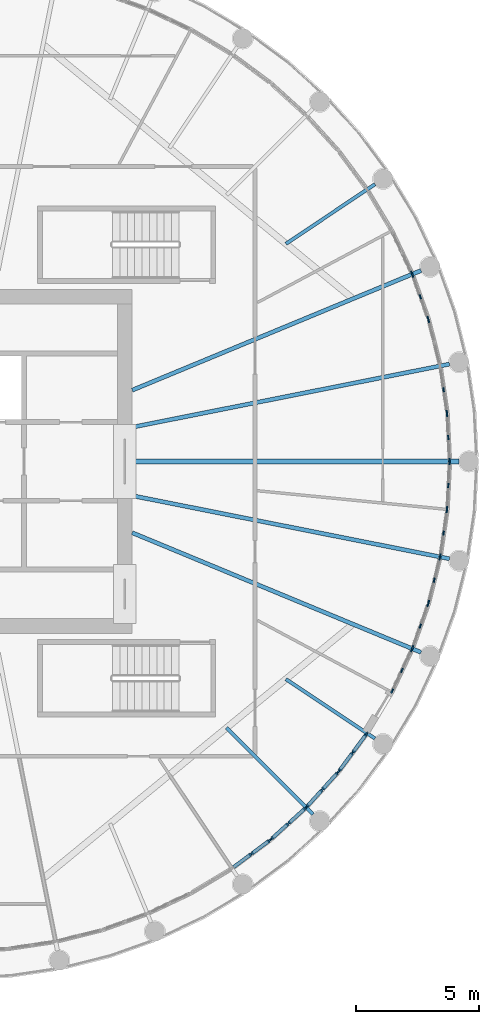
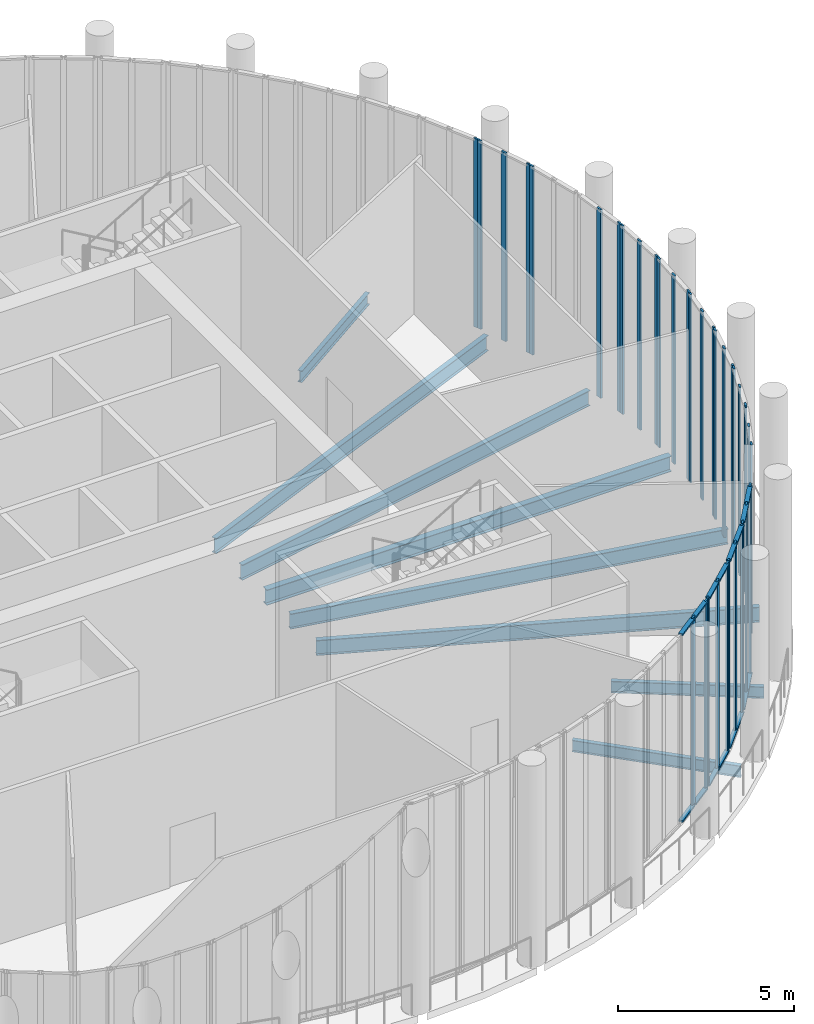
# One storey, part 5 of 21: 52 members, 8 beams, 14 elements without a shape of their own.
"""IFC4 building model written with IfcOpenShell, lengths in metres."""

from ifc_helpers import new_model, si_unit, direction, frame, origin, origin_2d, place, context, subcontext, project, spatial, rectangle, i_section, extrude, material, material_profile, profile_set, type_object, element, aggregate, save


model = new_model("IFC4")

# Units and contexts
model_context = context("Model", 3, precision=1e-05, world=origin(), true_north=direction((0.0, 1.0)))
body_context = subcontext(model_context, "Body", "Model", "MODEL_VIEW")
ifc_project = project(units=[si_unit("LENGTHUNIT", "METRE"), si_unit("AREAUNIT", "SQUARE_METRE"), si_unit("VOLUMEUNIT", "CUBIC_METRE"), si_unit("PLANEANGLEUNIT", "RADIAN"), si_unit("MASSUNIT", "GRAM", prefix="KILO")], contexts=[model_context])

# Site, building, storey
site_placement = place(None, origin())
site = spatial("IfcSite", under=ifc_project, at=site_placement, CompositionType="ELEMENT")
building_placement = place(site_placement, origin())
building = spatial("IfcBuilding", under=site, at=building_placement, Name="Corvane Civic Tower", CompositionType="ELEMENT")
storey_placement = place(building_placement, frame((0.0, 0.0, 380.5)))
storey = spatial("IfcBuildingStorey", under=building, at=storey_placement, Name="L91", CompositionType="ELEMENT", Elevation=380.5)

# Curtain wall, members
ifc_material_1 = material(Name="Aluminium and glass", Category="aluminium")
curtain_wall_type = type_object("IfcCurtainWallType", Name="CROWN-CW-O-RUN", PredefinedType="NOTDEFINED", material=ifc_material_1)
curtain_wall_1_placement = place(storey_placement, origin())
curtain_wall_1 = element("IfcCurtainWall", 1, at=curtain_wall_1_placement, inside=storey, type_object=curtain_wall_type, Name="CW-O run L91 39", PredefinedType="NOTDEFINED")
ifc_material_2 = material(Name="Anodised aluminium bronze", Category="aluminium")
ifc_material_profile_1 = material_profile(ifc_material_2, rectangle(XDim=0.06005859375, YDim=0.179931640625, at=origin_2d()), Name="AL 60x180")
ifc_profile_set_1 = profile_set([ifc_material_profile_1], Name="Anodised aluminium bronze")
member_type_1 = type_object("IfcMemberType", Name="CROWN-CWO-MULLION-60x180", PredefinedType="MULLION", material=ifc_profile_set_1)
member_1_placement = place(storey_placement, frame((11.845947265625, -15.972412109375, 0.0), z_axis=(0.0, 0.0, 1.0), x_axis=(-0.595722477003, 0.803190345058, 0.0)))
member_1 = element("IfcMember", 2, at=member_1_placement, type_object=member_type_1, Name="CW-O mullion 2", PredefinedType="MULLION", context=body_context, shape_type="SweptSolid", body=[
    extrude(rectangle(XDim=0.06005859375, YDim=0.179931640625, at=origin_2d()), origin(), (0.0, 0.0, 1.0), 6.550048828125),
])
member_2_placement = place(storey_placement, frame((12.593994140625, -15.417724609375, 0.0), z_axis=(0.0, 0.0, 1.0), x_axis=(-0.595722477003, 0.803190345058, 0.0)))
member_2 = element("IfcMember", 3, at=member_2_placement, type_object=member_type_1, Name="CW-O mullion 3", PredefinedType="MULLION", context=body_context, shape_type="SweptSolid", body=[
    extrude(rectangle(XDim=0.06005859375, YDim=0.179931640625, at=origin_2d()), origin(), (0.0, 0.0, 1.0), 6.550048828125),
])

curtain_wall_2_placement = place(storey_placement, origin())
curtain_wall_2 = element("IfcCurtainWall", 4, at=curtain_wall_2_placement, inside=storey, type_object=curtain_wall_type, Name="CW-O run L91 40", PredefinedType="NOTDEFINED")
member_3_placement = place(storey_placement, frame((12.664306640625, -15.35986328125, 0.0), z_axis=(0.0, 0.0, 1.0), x_axis=(-0.671566717692, 0.740944089448, 0.0)))
member_3 = element("IfcMember", 5, at=member_3_placement, type_object=member_type_1, Name="CW-O mullion 1", PredefinedType="MULLION", context=body_context, shape_type="SweptSolid", body=[
    extrude(rectangle(XDim=0.06005859375, YDim=0.179931640625, at=origin_2d()), origin(), (0.0, 0.0, 1.0), 6.550048828125),
])
member_4_placement = place(storey_placement, frame((13.3544921875, -14.734375, 0.0), z_axis=(0.0, 0.0, 1.0), x_axis=(-0.671566717692, 0.740944089448, 0.0)))
member_4 = element("IfcMember", 6, at=member_4_placement, type_object=member_type_1, Name="CW-O mullion 2", PredefinedType="MULLION", context=body_context, shape_type="SweptSolid", body=[
    extrude(rectangle(XDim=0.06005859375, YDim=0.179931640625, at=origin_2d()), origin(), (0.0, 0.0, 1.0), 6.550048828125),
])
member_5_placement = place(storey_placement, frame((14.044677734375, -14.10888671875, 0.0), z_axis=(0.0, 0.0, 1.0), x_axis=(-0.671566717692, 0.740944089448, 0.0)))
member_5 = element("IfcMember", 7, at=member_5_placement, type_object=member_type_1, Name="CW-O mullion 3", PredefinedType="MULLION", context=body_context, shape_type="SweptSolid", body=[
    extrude(rectangle(XDim=0.06005859375, YDim=0.179931640625, at=origin_2d()), origin(), (0.0, 0.0, 1.0), 6.550048828125),
])

curtain_wall_3_placement = place(storey_placement, origin())
curtain_wall_3 = element("IfcCurtainWall", 8, at=curtain_wall_3_placement, inside=storey, type_object=curtain_wall_type, Name="CW-O run L91 41", PredefinedType="NOTDEFINED")
member_6_placement = place(storey_placement, frame((14.10888671875, -14.044677734375, 0.0), z_axis=(0.0, 0.0, 1.0), x_axis=(-0.740944089448, 0.671566717692, 0.0)))
member_6 = element("IfcMember", 9, at=member_6_placement, type_object=member_type_1, Name="CW-O mullion 1", PredefinedType="MULLION", context=body_context, shape_type="SweptSolid", body=[
    extrude(rectangle(XDim=0.06005859375, YDim=0.179931640625, at=origin_2d()), origin(), (0.0, 0.0, 1.0), 6.550048828125),
])
member_7_placement = place(storey_placement, frame((14.734375, -13.3544921875, 0.0), z_axis=(0.0, 0.0, 1.0), x_axis=(-0.740944089448, 0.671566717692, 0.0)))
member_7 = element("IfcMember", 10, at=member_7_placement, type_object=member_type_1, Name="CW-O mullion 2", PredefinedType="MULLION", context=body_context, shape_type="SweptSolid", body=[
    extrude(rectangle(XDim=0.06005859375, YDim=0.179931640625, at=origin_2d()), origin(), (0.0, 0.0, 1.0), 6.550048828125),
])
member_8_placement = place(storey_placement, frame((15.35986328125, -12.664306640625, 0.0), z_axis=(0.0, 0.0, 1.0), x_axis=(-0.740944089448, 0.671566717692, 0.0)))
member_8 = element("IfcMember", 11, at=member_8_placement, type_object=member_type_1, Name="CW-O mullion 3", PredefinedType="MULLION", context=body_context, shape_type="SweptSolid", body=[
    extrude(rectangle(XDim=0.06005859375, YDim=0.179931640625, at=origin_2d()), origin(), (0.0, 0.0, 1.0), 6.550048828125),
])

curtain_wall_4_placement = place(storey_placement, origin())
curtain_wall_4 = element("IfcCurtainWall", 12, at=curtain_wall_4_placement, inside=storey, type_object=curtain_wall_type, Name="CW-O run L91 42", PredefinedType="NOTDEFINED")
member_9_placement = place(storey_placement, frame((15.417724609375, -12.593994140625, 0.0), z_axis=(0.0, 0.0, 1.0), x_axis=(-0.803190345058, 0.595722477003, 0.0)))
member_9 = element("IfcMember", 13, at=member_9_placement, type_object=member_type_1, Name="CW-O mullion 1", PredefinedType="MULLION", context=body_context, shape_type="SweptSolid", body=[
    extrude(rectangle(XDim=0.06005859375, YDim=0.179931640625, at=origin_2d()), origin(), (0.0, 0.0, 1.0), 6.550048828125),
])
member_10_placement = place(storey_placement, frame((15.972412109375, -11.845947265625, 0.0), z_axis=(0.0, 0.0, 1.0), x_axis=(-0.803190345058, 0.595722477003, 0.0)))
member_10 = element("IfcMember", 14, at=member_10_placement, type_object=member_type_1, Name="CW-O mullion 2", PredefinedType="MULLION", context=body_context, shape_type="SweptSolid", body=[
    extrude(rectangle(XDim=0.06005859375, YDim=0.179931640625, at=origin_2d()), origin(), (0.0, 0.0, 1.0), 6.550048828125),
])
member_11_placement = place(storey_placement, frame((16.52734375, -11.097900390625, 0.0), z_axis=(0.0, 0.0, 1.0), x_axis=(-0.803190345058, 0.595722477003, 0.0)))
member_11 = element("IfcMember", 15, at=member_11_placement, type_object=member_type_1, Name="CW-O mullion 3", PredefinedType="MULLION", context=body_context, shape_type="SweptSolid", body=[
    extrude(rectangle(XDim=0.06005859375, YDim=0.179931640625, at=origin_2d()), origin(), (0.0, 0.0, 1.0), 6.550048828125),
])

curtain_wall_5_placement = place(storey_placement, origin())
curtain_wall_5 = element("IfcCurtainWall", 16, at=curtain_wall_5_placement, inside=storey, type_object=curtain_wall_type, Name="CW-O run L91 44", PredefinedType="NOTDEFINED")
member_12_placement = place(storey_placement, frame((17.578369140625, -9.34423828125, 0.0), z_axis=(0.0, 0.0, 1.0), x_axis=(-0.904010875684, 0.427509457959, 0.0)))
member_12 = element("IfcMember", 17, at=member_12_placement, type_object=member_type_1, Name="CW-O mullion 1", PredefinedType="MULLION", context=body_context, shape_type="SweptSolid", body=[
    extrude(rectangle(XDim=0.06005859375, YDim=0.179931640625, at=origin_2d()), origin(), (0.0, 0.0, 1.0), 6.550048828125),
])
member_13_placement = place(storey_placement, frame((17.9765625, -8.502197265625, 0.0), z_axis=(0.0, 0.0, 1.0), x_axis=(-0.904010875684, 0.427509457959, 0.0)))
member_13 = element("IfcMember", 18, at=member_13_placement, type_object=member_type_1, Name="CW-O mullion 2", PredefinedType="MULLION", context=body_context, shape_type="SweptSolid", body=[
    extrude(rectangle(XDim=0.06005859375, YDim=0.179931640625, at=origin_2d()), origin(), (0.0, 0.0, 1.0), 6.550048828125),
])
member_14_placement = place(storey_placement, frame((18.374755859375, -7.660400390625, 0.0), z_axis=(0.0, 0.0, 1.0), x_axis=(-0.904010875684, 0.427509457959, 0.0)))
member_14 = element("IfcMember", 19, at=member_14_placement, type_object=member_type_1, Name="CW-O mullion 3", PredefinedType="MULLION", context=body_context, shape_type="SweptSolid", body=[
    extrude(rectangle(XDim=0.06005859375, YDim=0.179931640625, at=origin_2d()), origin(), (0.0, 0.0, 1.0), 6.550048828125),
])
aggregate(curtain_wall_5, [member_12, member_13, member_14])

curtain_wall_6_placement = place(storey_placement, origin())
curtain_wall_6 = element("IfcCurtainWall", 20, at=curtain_wall_6_placement, inside=storey, type_object=curtain_wall_type, Name="CW-O run L91 45", PredefinedType="NOTDEFINED")
member_15_placement = place(storey_placement, frame((18.40966796875, -7.576171875, 0.0), z_axis=(0.0, 0.0, 1.0), x_axis=(-0.941511051216, 0.336982106999, 0.0)))
member_15 = element("IfcMember", 21, at=member_15_placement, type_object=member_type_1, Name="CW-O mullion 1", PredefinedType="MULLION", context=body_context, shape_type="SweptSolid", body=[
    extrude(rectangle(XDim=0.06005859375, YDim=0.179931640625, at=origin_2d()), origin(), (0.0, 0.0, 1.0), 6.550048828125),
])
member_16_placement = place(storey_placement, frame((18.723388671875, -6.69921875, 0.0), z_axis=(0.0, 0.0, 1.0), x_axis=(-0.941511051216, 0.336982106999, 0.0)))
member_16 = element("IfcMember", 22, at=member_16_placement, type_object=member_type_1, Name="CW-O mullion 2", PredefinedType="MULLION", context=body_context, shape_type="SweptSolid", body=[
    extrude(rectangle(XDim=0.06005859375, YDim=0.179931640625, at=origin_2d()), origin(), (0.0, 0.0, 1.0), 6.550048828125),
])
member_17_placement = place(storey_placement, frame((19.037353515625, -5.822509765625, 0.0), z_axis=(0.0, 0.0, 1.0), x_axis=(-0.941511051216, 0.336982106999, 0.0)))
member_17 = element("IfcMember", 23, at=member_17_placement, type_object=member_type_1, Name="CW-O mullion 3", PredefinedType="MULLION", context=body_context, shape_type="SweptSolid", body=[
    extrude(rectangle(XDim=0.06005859375, YDim=0.179931640625, at=origin_2d()), origin(), (0.0, 0.0, 1.0), 6.550048828125),
])
aggregate(curtain_wall_6, [member_15, member_16, member_17])

curtain_wall_7_placement = place(storey_placement, origin())
curtain_wall_7 = element("IfcCurtainWall", 24, at=curtain_wall_7_placement, inside=storey, type_object=curtain_wall_type, Name="CW-O run L91 46", PredefinedType="NOTDEFINED")
member_18_placement = place(storey_placement, frame((19.063720703125, -5.7353515625, 0.0), z_axis=(0.0, 0.0, 1.0), x_axis=(-0.970038385347, 0.242951704982, 0.0)))
member_18 = element("IfcMember", 25, at=member_18_placement, type_object=member_type_1, Name="CW-O mullion 1", PredefinedType="MULLION", context=body_context, shape_type="SweptSolid", body=[
    extrude(rectangle(XDim=0.06005859375, YDim=0.179931640625, at=origin_2d()), origin(), (0.0, 0.0, 1.0), 6.550048828125),
])
member_19_placement = place(storey_placement, frame((19.2900390625, -4.831787109375, 0.0), z_axis=(0.0, 0.0, 1.0), x_axis=(-0.970038385347, 0.242951704982, 0.0)))
member_19 = element("IfcMember", 26, at=member_19_placement, type_object=member_type_1, Name="CW-O mullion 2", PredefinedType="MULLION", context=body_context, shape_type="SweptSolid", body=[
    extrude(rectangle(XDim=0.06005859375, YDim=0.179931640625, at=origin_2d()), origin(), (0.0, 0.0, 1.0), 6.550048828125),
])
member_20_placement = place(storey_placement, frame((19.516357421875, -3.928466796875, 0.0), z_axis=(0.0, 0.0, 1.0), x_axis=(-0.970038385347, 0.242951704982, 0.0)))
member_20 = element("IfcMember", 27, at=member_20_placement, type_object=member_type_1, Name="CW-O mullion 3", PredefinedType="MULLION", context=body_context, shape_type="SweptSolid", body=[
    extrude(rectangle(XDim=0.06005859375, YDim=0.179931640625, at=origin_2d()), origin(), (0.0, 0.0, 1.0), 6.550048828125),
])
aggregate(curtain_wall_7, [member_18, member_19, member_20])

curtain_wall_8_placement = place(storey_placement, origin())
curtain_wall_8 = element("IfcCurtainWall", 28, at=curtain_wall_8_placement, inside=storey, type_object=curtain_wall_type, Name="CW-O run L91 47", PredefinedType="NOTDEFINED")
member_21_placement = place(storey_placement, frame((19.533935546875, -3.839111328125, 0.0), z_axis=(0.0, 0.0, 1.0), x_axis=(-0.989170486303, 0.146771076941, 0.0)))
member_21 = element("IfcMember", 29, at=member_21_placement, type_object=member_type_1, Name="CW-O mullion 1", PredefinedType="MULLION", context=body_context, shape_type="SweptSolid", body=[
    extrude(rectangle(XDim=0.06005859375, YDim=0.179931640625, at=origin_2d()), origin(), (0.0, 0.0, 1.0), 6.550048828125),
])
member_22_placement = place(storey_placement, frame((19.670654296875, -2.91796875, 0.0), z_axis=(0.0, 0.0, 1.0), x_axis=(-0.989170486303, 0.146771076941, 0.0)))
member_22 = element("IfcMember", 30, at=member_22_placement, type_object=member_type_1, Name="CW-O mullion 2", PredefinedType="MULLION", context=body_context, shape_type="SweptSolid", body=[
    extrude(rectangle(XDim=0.06005859375, YDim=0.179931640625, at=origin_2d()), origin(), (0.0, 0.0, 1.0), 6.550048828125),
])
member_23_placement = place(storey_placement, frame((19.807373046875, -1.99658203125, 0.0), z_axis=(0.0, 0.0, 1.0), x_axis=(-0.989170486303, 0.146771076941, 0.0)))
member_23 = element("IfcMember", 31, at=member_23_placement, type_object=member_type_1, Name="CW-O mullion 3", PredefinedType="MULLION", context=body_context, shape_type="SweptSolid", body=[
    extrude(rectangle(XDim=0.06005859375, YDim=0.179931640625, at=origin_2d()), origin(), (0.0, 0.0, 1.0), 6.550048828125),
])
aggregate(curtain_wall_8, [member_21, member_22, member_23])

curtain_wall_9_placement = place(storey_placement, origin())
curtain_wall_9 = element("IfcCurtainWall", 32, at=curtain_wall_9_placement, inside=storey, type_object=curtain_wall_type, Name="CW-O run L91 48", PredefinedType="NOTDEFINED")
member_24_placement = place(storey_placement, frame((19.81640625, -1.90625, 0.0), z_axis=(0.0, 0.0, 1.0), x_axis=(-0.998799228405, 0.048990829113, 0.0)))
member_24 = element("IfcMember", 33, at=member_24_placement, type_object=member_type_1, Name="CW-O mullion 1", PredefinedType="MULLION", context=body_context, shape_type="SweptSolid", body=[
    extrude(rectangle(XDim=0.06005859375, YDim=0.179931640625, at=origin_2d()), origin(), (0.0, 0.0, 1.0), 6.550048828125),
])
member_25_placement = place(storey_placement, frame((19.862060546875, -0.975830078125, 0.0), z_axis=(0.0, 0.0, 1.0), x_axis=(-0.998799228405, 0.048990829113, 0.0)))
member_25 = element("IfcMember", 34, at=member_25_placement, type_object=member_type_1, Name="CW-O mullion 2", PredefinedType="MULLION", context=body_context, shape_type="SweptSolid", body=[
    extrude(rectangle(XDim=0.06005859375, YDim=0.179931640625, at=origin_2d()), origin(), (0.0, 0.0, 1.0), 6.550048828125),
])
member_26_placement = place(storey_placement, frame((19.90771484375, -0.045654296875, 0.0), z_axis=(0.0, 0.0, 1.0), x_axis=(-0.998799228405, 0.048990829113, 0.0)))
member_26 = element("IfcMember", 35, at=member_26_placement, type_object=member_type_1, Name="CW-O mullion 3", PredefinedType="MULLION", context=body_context, shape_type="SweptSolid", body=[
    extrude(rectangle(XDim=0.06005859375, YDim=0.179931640625, at=origin_2d()), origin(), (0.0, 0.0, 1.0), 6.550048828125),
])
aggregate(curtain_wall_9, [member_24, member_25, member_26])

curtain_wall_10_placement = place(storey_placement, origin())
curtain_wall_10 = element("IfcCurtainWall", 36, at=curtain_wall_10_placement, inside=storey, type_object=curtain_wall_type, Name="CW-O run L91 49", PredefinedType="NOTDEFINED")
member_27_placement = place(storey_placement, frame((19.90771484375, 0.045654296875, 0.0), z_axis=(0.0, 0.0, 1.0), x_axis=(-0.998799228405, -0.048990829113, 0.0)))
member_27 = element("IfcMember", 37, at=member_27_placement, type_object=member_type_1, Name="CW-O mullion 1", PredefinedType="MULLION", context=body_context, shape_type="SweptSolid", body=[
    extrude(rectangle(XDim=0.06005859375, YDim=0.179931640625, at=origin_2d()), origin(), (0.0, 0.0, 1.0), 6.550048828125),
])
member_28_placement = place(storey_placement, frame((19.862060546875, 0.975830078125, 0.0), z_axis=(0.0, 0.0, 1.0), x_axis=(-0.998799228405, -0.048990829113, 0.0)))
member_28 = element("IfcMember", 38, at=member_28_placement, type_object=member_type_1, Name="CW-O mullion 2", PredefinedType="MULLION", context=body_context, shape_type="SweptSolid", body=[
    extrude(rectangle(XDim=0.06005859375, YDim=0.179931640625, at=origin_2d()), origin(), (0.0, 0.0, 1.0), 6.550048828125),
])
member_29_placement = place(storey_placement, frame((19.81640625, 1.90625, 0.0), z_axis=(0.0, 0.0, 1.0), x_axis=(-0.998799228405, -0.048990829113, 0.0)))
member_29 = element("IfcMember", 39, at=member_29_placement, type_object=member_type_1, Name="CW-O mullion 3", PredefinedType="MULLION", context=body_context, shape_type="SweptSolid", body=[
    extrude(rectangle(XDim=0.06005859375, YDim=0.179931640625, at=origin_2d()), origin(), (0.0, 0.0, 1.0), 6.550048828125),
])
aggregate(curtain_wall_10, [member_27, member_28, member_29])

curtain_wall_11_placement = place(storey_placement, origin())
curtain_wall_11 = element("IfcCurtainWall", 40, at=curtain_wall_11_placement, inside=storey, type_object=curtain_wall_type, Name="CW-O run L91 50", PredefinedType="NOTDEFINED")
member_30_placement = place(storey_placement, frame((19.807373046875, 1.99658203125, 0.0), z_axis=(0.0, 0.0, 1.0), x_axis=(-0.989170486303, -0.146771076941, 0.0)))
member_30 = element("IfcMember", 41, at=member_30_placement, type_object=member_type_1, Name="CW-O mullion 1", PredefinedType="MULLION", context=body_context, shape_type="SweptSolid", body=[
    extrude(rectangle(XDim=0.06005859375, YDim=0.179931640625, at=origin_2d()), origin(), (0.0, 0.0, 1.0), 6.550048828125),
])
member_31_placement = place(storey_placement, frame((19.670654296875, 2.91796875, 0.0), z_axis=(0.0, 0.0, 1.0), x_axis=(-0.989170486303, -0.146771076941, 0.0)))
member_31 = element("IfcMember", 42, at=member_31_placement, type_object=member_type_1, Name="CW-O mullion 2", PredefinedType="MULLION", context=body_context, shape_type="SweptSolid", body=[
    extrude(rectangle(XDim=0.06005859375, YDim=0.179931640625, at=origin_2d()), origin(), (0.0, 0.0, 1.0), 6.550048828125),
])
aggregate(curtain_wall_11, [member_30, member_31])

# Curtain wall, member
curtain_wall_12_placement = place(storey_placement, origin())
curtain_wall_12 = element("IfcCurtainWall", 43, at=curtain_wall_12_placement, inside=storey, type_object=curtain_wall_type, Name="CW-O run L91 51", PredefinedType="NOTDEFINED")
member_32_placement = place(storey_placement, frame((19.063720703125, 5.7353515625, 0.0), z_axis=(0.0, 0.0, 1.0), x_axis=(-0.970038385347, -0.242951704982, 0.0)))
member_32 = element("IfcMember", 44, at=member_32_placement, type_object=member_type_1, Name="CW-O mullion 3", PredefinedType="MULLION", context=body_context, shape_type="SweptSolid", body=[
    extrude(rectangle(XDim=0.06005859375, YDim=0.179931640625, at=origin_2d()), origin(), (0.0, 0.0, 1.0), 6.550048828125),
])
aggregate(curtain_wall_12, [member_32])

# Curtain wall, members
curtain_wall_13_placement = place(storey_placement, origin())
curtain_wall_13 = element("IfcCurtainWall", 45, at=curtain_wall_13_placement, inside=storey, type_object=curtain_wall_type, Name="CW-O run L91 52", PredefinedType="NOTDEFINED")
member_33_placement = place(storey_placement, frame((19.037353515625, 5.822509765625, 0.0), z_axis=(0.0, 0.0, 1.0), x_axis=(-0.941511051216, -0.336982106999, 0.0)))
member_33 = element("IfcMember", 46, at=member_33_placement, type_object=member_type_1, Name="CW-O mullion 1", PredefinedType="MULLION", context=body_context, shape_type="SweptSolid", body=[
    extrude(rectangle(XDim=0.06005859375, YDim=0.179931640625, at=origin_2d()), origin(), (0.0, 0.0, 1.0), 6.550048828125),
])
member_34_placement = place(storey_placement, frame((18.723388671875, 6.69921875, 0.0), z_axis=(0.0, 0.0, 1.0), x_axis=(-0.941511051216, -0.336982106999, 0.0)))
member_34 = element("IfcMember", 47, at=member_34_placement, type_object=member_type_1, Name="CW-O mullion 2", PredefinedType="MULLION", context=body_context, shape_type="SweptSolid", body=[
    extrude(rectangle(XDim=0.06005859375, YDim=0.179931640625, at=origin_2d()), origin(), (0.0, 0.0, 1.0), 6.550048828125),
])
member_35_placement = place(storey_placement, frame((18.40966796875, 7.576171875, 0.0), z_axis=(0.0, 0.0, 1.0), x_axis=(-0.941511051216, -0.336982106999, 0.0)))
member_35 = element("IfcMember", 48, at=member_35_placement, type_object=member_type_1, Name="CW-O mullion 3", PredefinedType="MULLION", context=body_context, shape_type="SweptSolid", body=[
    extrude(rectangle(XDim=0.06005859375, YDim=0.179931640625, at=origin_2d()), origin(), (0.0, 0.0, 1.0), 6.550048828125),
])
aggregate(curtain_wall_13, [member_33, member_34, member_35])

# Curtain wall, member
curtain_wall_14_placement = place(storey_placement, origin())
curtain_wall_14 = element("IfcCurtainWall", 49, at=curtain_wall_14_placement, inside=storey, type_object=curtain_wall_type, Name="CW-O run L91 53", PredefinedType="NOTDEFINED")
member_36_placement = place(storey_placement, frame((18.374755859375, 7.660400390625, 0.0), z_axis=(0.0, 0.0, 1.0), x_axis=(-0.904010875684, -0.427509457959, 0.0)))
member_36 = element("IfcMember", 50, at=member_36_placement, type_object=member_type_1, Name="CW-O mullion 1", PredefinedType="MULLION", context=body_context, shape_type="SweptSolid", body=[
    extrude(rectangle(XDim=0.06005859375, YDim=0.179931640625, at=origin_2d()), origin(), (0.0, 0.0, 1.0), 6.550048828125),
])
aggregate(curtain_wall_14, [member_36])

# Member
ifc_material_3 = material(Name="Anodised aluminium bronze", Category="aluminium")
ifc_material_profile_2 = material_profile(ifc_material_3, rectangle(XDim=0.139892578125, YDim=0.06005859375, at=origin_2d()), Name="AL 140x60")
ifc_profile_set_2 = profile_set([ifc_material_profile_2], Name="Anodised aluminium bronze")
member_type_2 = type_object("IfcMemberType", Name="CROWN-CWO-TRANSOM-60x140", PredefinedType="USERDEFINED", material=ifc_profile_set_2)
member_37_placement = place(storey_placement, frame((11.1220703125, -16.509521484375, 0.030029296875), z_axis=(0.803149934257, 0.595776957512, 0.0), x_axis=(-0.595776957512, 0.803149934257, 0.0)))
member_37 = element("IfcMember", 51, at=member_37_placement, type_object=member_type_2, Name="CW-O transom 1.1", ObjectType="TRANSOM", PredefinedType="USERDEFINED", context=body_context, shape_type="SweptSolid", body=[
    extrude(rectangle(XDim=0.139892578125, YDim=0.06005859375, at=origin_2d()), origin(), (0.0, 0.0, 1.0), 0.87109375),
])

member_38_placement = place(storey_placement, frame((11.1220703125, -16.509521484375, 6.52001953125), z_axis=(0.803149934257, 0.595776957512, 0.0), x_axis=(-0.595776957512, 0.803149934257, 0.0)))
member_38 = element("IfcMember", 52, at=member_38_placement, type_object=member_type_2, Name="CW-O transom 1.2", ObjectType="TRANSOM", PredefinedType="USERDEFINED", context=body_context, shape_type="SweptSolid", body=[
    extrude(rectangle(XDim=0.139892578125, YDim=0.06005859375, at=origin_2d()), origin(), (0.0, 0.0, 1.0), 0.87109375),
])

member_39_placement = place(storey_placement, frame((11.8701171875, -15.95458984375, 0.030029296875), z_axis=(0.803149934257, 0.595776957512, 0.0), x_axis=(-0.595776957512, 0.803149934257, 0.0)))
member_39 = element("IfcMember", 53, at=member_39_placement, type_object=member_type_2, Name="CW-O transom 2.1", ObjectType="TRANSOM", PredefinedType="USERDEFINED", context=body_context, shape_type="SweptSolid", body=[
    extrude(rectangle(XDim=0.139892578125, YDim=0.06005859375, at=origin_2d()), origin(), (0.0, 0.0, 1.0), 0.87109375),
])

member_40_placement = place(storey_placement, frame((11.8701171875, -15.95458984375, 6.52001953125), z_axis=(0.803149934257, 0.595776957512, 0.0), x_axis=(-0.595776957512, 0.803149934257, 0.0)))
member_40 = element("IfcMember", 54, at=member_40_placement, type_object=member_type_2, Name="CW-O transom 2.2", ObjectType="TRANSOM", PredefinedType="USERDEFINED", context=body_context, shape_type="SweptSolid", body=[
    extrude(rectangle(XDim=0.139892578125, YDim=0.06005859375, at=origin_2d()), origin(), (0.0, 0.0, 1.0), 0.87109375),
])

aggregate(curtain_wall_1, [member_1, member_2, member_37, member_38, member_39, member_40])

member_41_placement = place(storey_placement, frame((12.6865234375, -15.33984375, 0.030029296875), z_axis=(0.740991307608, 0.671514617897, 0.0), x_axis=(-0.671514617897, 0.740991307608, 0.0)))
member_41 = element("IfcMember", 55, at=member_41_placement, type_object=member_type_2, Name="CW-O transom 1.1", ObjectType="TRANSOM", PredefinedType="USERDEFINED", context=body_context, shape_type="SweptSolid", body=[
    extrude(rectangle(XDim=0.139892578125, YDim=0.06005859375, at=origin_2d()), origin(), (0.0, 0.0, 1.0), 0.87158203125),
])

member_42_placement = place(storey_placement, frame((12.6865234375, -15.33984375, 6.52001953125), z_axis=(0.740991307608, 0.671514617897, 0.0), x_axis=(-0.671514617897, 0.740991307608, 0.0)))
member_42 = element("IfcMember", 56, at=member_42_placement, type_object=member_type_2, Name="CW-O transom 1.2", ObjectType="TRANSOM", PredefinedType="USERDEFINED", context=body_context, shape_type="SweptSolid", body=[
    extrude(rectangle(XDim=0.139892578125, YDim=0.06005859375, at=origin_2d()), origin(), (0.0, 0.0, 1.0), 0.87158203125),
])

member_43_placement = place(storey_placement, frame((13.376708984375, -14.71435546875, 0.030029296875), z_axis=(0.740991307608, 0.671514617897, 0.0), x_axis=(-0.671514617897, 0.740991307608, 0.0)))
member_43 = element("IfcMember", 57, at=member_43_placement, type_object=member_type_2, Name="CW-O transom 2.1", ObjectType="TRANSOM", PredefinedType="USERDEFINED", context=body_context, shape_type="SweptSolid", body=[
    extrude(rectangle(XDim=0.139892578125, YDim=0.06005859375, at=origin_2d()), origin(), (0.0, 0.0, 1.0), 0.87158203125),
])

member_44_placement = place(storey_placement, frame((13.376708984375, -14.71435546875, 6.52001953125), z_axis=(0.740991307608, 0.671514617897, 0.0), x_axis=(-0.671514617897, 0.740991307608, 0.0)))
member_44 = element("IfcMember", 58, at=member_44_placement, type_object=member_type_2, Name="CW-O transom 2.2", ObjectType="TRANSOM", PredefinedType="USERDEFINED", context=body_context, shape_type="SweptSolid", body=[
    extrude(rectangle(XDim=0.139892578125, YDim=0.06005859375, at=origin_2d()), origin(), (0.0, 0.0, 1.0), 0.87158203125),
])

aggregate(curtain_wall_2, [member_3, member_4, member_5, member_41, member_42, member_43, member_44])

member_45_placement = place(storey_placement, frame((14.129150390625, -14.0224609375, 0.030029296875), z_axis=(0.671514617897, 0.740991307608, 0.0), x_axis=(-0.740991307608, 0.671514617897, 0.0)))
member_45 = element("IfcMember", 59, at=member_45_placement, type_object=member_type_2, Name="CW-O transom 1.1", ObjectType="TRANSOM", PredefinedType="USERDEFINED", context=body_context, shape_type="SweptSolid", body=[
    extrude(rectangle(XDim=0.139892578125, YDim=0.06005859375, at=origin_2d()), origin(), (0.0, 0.0, 1.0), 0.87158203125),
])

member_46_placement = place(storey_placement, frame((14.129150390625, -14.0224609375, 6.52001953125), z_axis=(0.671514617897, 0.740991307608, 0.0), x_axis=(-0.740991307608, 0.671514617897, 0.0)))
member_46 = element("IfcMember", 60, at=member_46_placement, type_object=member_type_2, Name="CW-O transom 1.2", ObjectType="TRANSOM", PredefinedType="USERDEFINED", context=body_context, shape_type="SweptSolid", body=[
    extrude(rectangle(XDim=0.139892578125, YDim=0.06005859375, at=origin_2d()), origin(), (0.0, 0.0, 1.0), 0.87158203125),
])

member_47_placement = place(storey_placement, frame((14.754638671875, -13.332275390625, 0.030029296875), z_axis=(0.671514617897, 0.740991307608, 0.0), x_axis=(-0.740991307608, 0.671514617897, 0.0)))
member_47 = element("IfcMember", 61, at=member_47_placement, type_object=member_type_2, Name="CW-O transom 2.1", ObjectType="TRANSOM", PredefinedType="USERDEFINED", context=body_context, shape_type="SweptSolid", body=[
    extrude(rectangle(XDim=0.139892578125, YDim=0.06005859375, at=origin_2d()), origin(), (0.0, 0.0, 1.0), 0.87158203125),
])

member_48_placement = place(storey_placement, frame((14.754638671875, -13.332275390625, 6.52001953125), z_axis=(0.671514617897, 0.740991307608, 0.0), x_axis=(-0.740991307608, 0.671514617897, 0.0)))
member_48 = element("IfcMember", 62, at=member_48_placement, type_object=member_type_2, Name="CW-O transom 2.2", ObjectType="TRANSOM", PredefinedType="USERDEFINED", context=body_context, shape_type="SweptSolid", body=[
    extrude(rectangle(XDim=0.139892578125, YDim=0.06005859375, at=origin_2d()), origin(), (0.0, 0.0, 1.0), 0.87158203125),
])

aggregate(curtain_wall_3, [member_6, member_7, member_8, member_45, member_46, member_47, member_48])

member_49_placement = place(storey_placement, frame((15.435546875, -12.56982421875, 0.030029296875), z_axis=(0.595776957512, 0.803149934257, 0.0), x_axis=(-0.803149934257, 0.595776957512, 0.0)))
member_49 = element("IfcMember", 63, at=member_49_placement, type_object=member_type_2, Name="CW-O transom 1.1", ObjectType="TRANSOM", PredefinedType="USERDEFINED", context=body_context, shape_type="SweptSolid", body=[
    extrude(rectangle(XDim=0.139892578125, YDim=0.06005859375, at=origin_2d()), origin(), (0.0, 0.0, 1.0), 0.87109375),
])

member_50_placement = place(storey_placement, frame((15.435546875, -12.56982421875, 6.52001953125), z_axis=(0.595776957512, 0.803149934257, 0.0), x_axis=(-0.803149934257, 0.595776957512, 0.0)))
member_50 = element("IfcMember", 64, at=member_50_placement, type_object=member_type_2, Name="CW-O transom 1.2", ObjectType="TRANSOM", PredefinedType="USERDEFINED", context=body_context, shape_type="SweptSolid", body=[
    extrude(rectangle(XDim=0.139892578125, YDim=0.06005859375, at=origin_2d()), origin(), (0.0, 0.0, 1.0), 0.87109375),
])

member_51_placement = place(storey_placement, frame((15.990478515625, -11.82177734375, 0.030029296875), z_axis=(0.595776957512, 0.803149934257, 0.0), x_axis=(-0.803149934257, 0.595776957512, 0.0)))
member_51 = element("IfcMember", 65, at=member_51_placement, type_object=member_type_2, Name="CW-O transom 2.1", ObjectType="TRANSOM", PredefinedType="USERDEFINED", context=body_context, shape_type="SweptSolid", body=[
    extrude(rectangle(XDim=0.139892578125, YDim=0.06005859375, at=origin_2d()), origin(), (0.0, 0.0, 1.0), 0.87109375),
])

member_52_placement = place(storey_placement, frame((15.990478515625, -11.82177734375, 6.52001953125), z_axis=(0.595776957512, 0.803149934257, 0.0), x_axis=(-0.803149934257, 0.595776957512, 0.0)))
member_52 = element("IfcMember", 66, at=member_52_placement, type_object=member_type_2, Name="CW-O transom 2.2", ObjectType="TRANSOM", PredefinedType="USERDEFINED", context=body_context, shape_type="SweptSolid", body=[
    extrude(rectangle(XDim=0.139892578125, YDim=0.06005859375, at=origin_2d()), origin(), (0.0, 0.0, 1.0), 0.87109375),
])

aggregate(curtain_wall_4, [member_9, member_10, member_11, member_49, member_50, member_51, member_52])

# Beams
ifc_material_4 = material(Name="Steel ASTM A992 Gr 50", Category="steel")
ifc_material_profile_3 = material_profile(ifc_material_4, i_section(OverallWidth=0.140380859375, OverallDepth=0.40380859375, WebThickness=0.007080078125, FlangeThickness=0.01123046875, at=origin_2d()), Name="W16X31")
ifc_profile_set_3 = profile_set([ifc_material_profile_3], Name="Steel ASTM A992 Gr 50")
beam_type_1 = type_object("IfcBeamType", Name="FLOOR GIRDER W16X31", PredefinedType="BEAM", material=ifc_profile_set_3)
for number, where, z_axis, x_axis, name in (
    (67, (13.25634765625, 8.857666015625, -0.65185546875), (0.83148086288, 0.555553394972, 0.0), (-0.555553394972, 0.83148086288, 0.0), "BM-L91-G06"),
    (68, (13.25634765625, -8.857666015625, -0.65185546875), (0.83148086288, -0.555553394972, 0.0), (0.555553394972, 0.83148086288, 0.0), "BM-L91-G12"),
):
    element("IfcBeam", number, at=place(storey_placement, frame(where, z_axis=z_axis, x_axis=x_axis)), inside=storey, type_object=beam_type_1, Name=name, PredefinedType="BEAM", context=body_context, shape_type="SweptSolid", body=[
        extrude(i_section(OverallWidth=0.140380859375, OverallDepth=0.40380859375, WebThickness=0.007080078125, FlangeThickness=0.01123046875, at=origin_2d()), origin(), (0.0, 0.0, 1.0), 4.356689453125),
    ])
beam_1_placement = place(storey_placement, frame((10.84033203125, -10.84033203125, -0.65185546875), z_axis=(0.707106781187, -0.707106781187, 0.0), x_axis=(0.707106781187, 0.707106781187, 0.0)))
element("IfcBeam", 69, at=beam_1_placement, inside=storey, type_object=beam_type_1, Name="BM-L91-G13", PredefinedType="BEAM", context=body_context, shape_type="SweptSolid", body=[
    extrude(i_section(OverallWidth=0.140380859375, OverallDepth=0.40380859375, WebThickness=0.007080078125, FlangeThickness=0.01123046875, at=origin_2d()), origin(), (0.0, 0.0, 1.0), 4.969482421875),
])
ifc_material_5 = material(Name="Steel ASTM A992 Gr 50", Category="steel")
ifc_material_profile_4 = material_profile(ifc_material_5, i_section(OverallWidth=0.165771484375, OverallDepth=0.5283203125, WebThickness=0.009765625, FlangeThickness=0.013671875, at=origin_2d()), Name="W21X50")
ifc_profile_set_4 = profile_set([ifc_material_profile_4], Name="Steel ASTM A992 Gr 50")
beam_type_2 = type_object("IfcBeamType", Name="FLOOR GIRDER W21X50", PredefinedType="BEAM", material=ifc_profile_set_4)
beam_2_placement = place(storey_placement, frame((7.0, 2.8994140625, -0.714111328125), z_axis=(0.923873700625, 0.382697511481, 0.0), x_axis=(-0.382697511481, 0.923873700625, 0.0)))
element("IfcBeam", 70, at=beam_2_placement, inside=storey, type_object=beam_type_2, Name="BM-L91-G07", PredefinedType="BEAM", context=body_context, shape_type="SweptSolid", body=[
    extrude(i_section(OverallWidth=0.165771484375, OverallDepth=0.5283203125, WebThickness=0.009765625, FlangeThickness=0.013671875, at=origin_2d()), origin(), (0.0, 0.0, 1.0), 12.72314453125),
])
for number, where, z_axis, x_axis, name in (
    (71, (7.0, 1.392333984375, -0.714111328125), (0.980782750188, 0.195103041836, 0.0), (-0.195103041836, 0.980782750188, 0.0), "BM-L91-G08"),
    (72, (7.0, -1.392333984375, -0.714111328125), (0.980782750188, -0.195103041836, 0.0), (0.195103041836, 0.980782750188, 0.0), "BM-L91-G10"),
):
    element("IfcBeam", number, at=place(storey_placement, frame(where, z_axis=z_axis, x_axis=x_axis)), inside=storey, type_object=beam_type_2, Name=name, PredefinedType="BEAM", context=body_context, shape_type="SweptSolid", body=[
        extrude(i_section(OverallWidth=0.165771484375, OverallDepth=0.5283203125, WebThickness=0.009765625, FlangeThickness=0.013671875, at=origin_2d()), origin(), (0.0, 0.0, 1.0), 13.162841796875),
    ])
beam_3_placement = place(storey_placement, frame((7.0, -2.8994140625, -0.714111328125), z_axis=(0.923873700625, -0.382697511481, 0.0), x_axis=(0.382697511481, 0.923873700625, 0.0)))
element("IfcBeam", 73, at=beam_3_placement, inside=storey, type_object=beam_type_2, Name="BM-L91-G11", PredefinedType="BEAM", context=body_context, shape_type="SweptSolid", body=[
    extrude(i_section(OverallWidth=0.165771484375, OverallDepth=0.5283203125, WebThickness=0.009765625, FlangeThickness=0.013671875, at=origin_2d()), origin(), (0.0, 0.0, 1.0), 12.72314453125),
])
ifc_material_6 = material(Name="Steel ASTM A992 Gr 50", Category="steel")
ifc_material_profile_5 = material_profile(ifc_material_6, i_section(OverallWidth=0.209228515625, OverallDepth=0.533447265625, WebThickness=0.01025390625, FlangeThickness=0.015625, at=origin_2d()), Name="W21X62")
ifc_profile_set_5 = profile_set([ifc_material_profile_5], Name="Steel ASTM A992 Gr 50")
beam_type_3 = type_object("IfcBeamType", Name="FLOOR GIRDER W21X62", PredefinedType="BEAM", material=ifc_profile_set_5)
beam_4_placement = place(storey_placement, frame((7.0, 0.0, -0.716796875), z_axis=(1.0, 0.0, 0.0), x_axis=(0.0, 1.0, 0.0)))
element("IfcBeam", 74, at=beam_4_placement, inside=storey, type_object=beam_type_3, Name="BM-L91-G09", PredefinedType="BEAM", context=body_context, shape_type="SweptSolid", body=[
    extrude(i_section(OverallWidth=0.209228515625, OverallDepth=0.533447265625, WebThickness=0.01025390625, FlangeThickness=0.015625, at=origin_2d()), origin(), (0.0, 0.0, 1.0), 13.300048828125),
])

save(model, "model.ifc")
